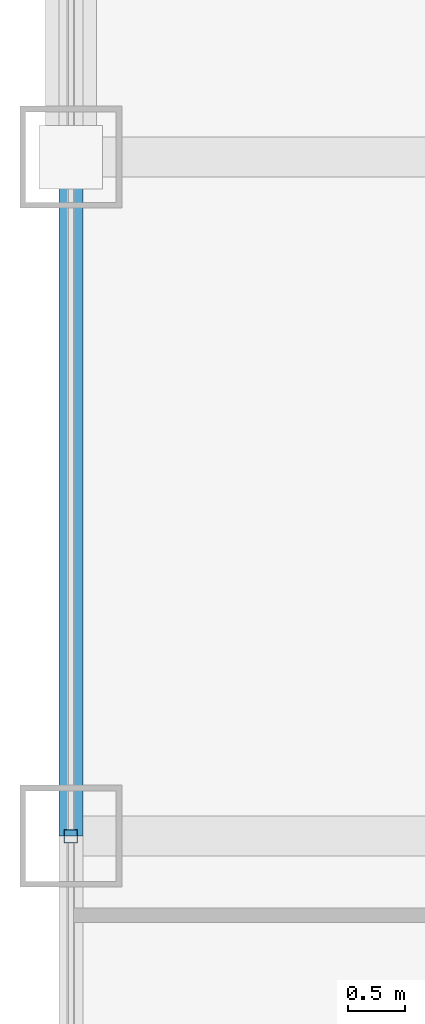
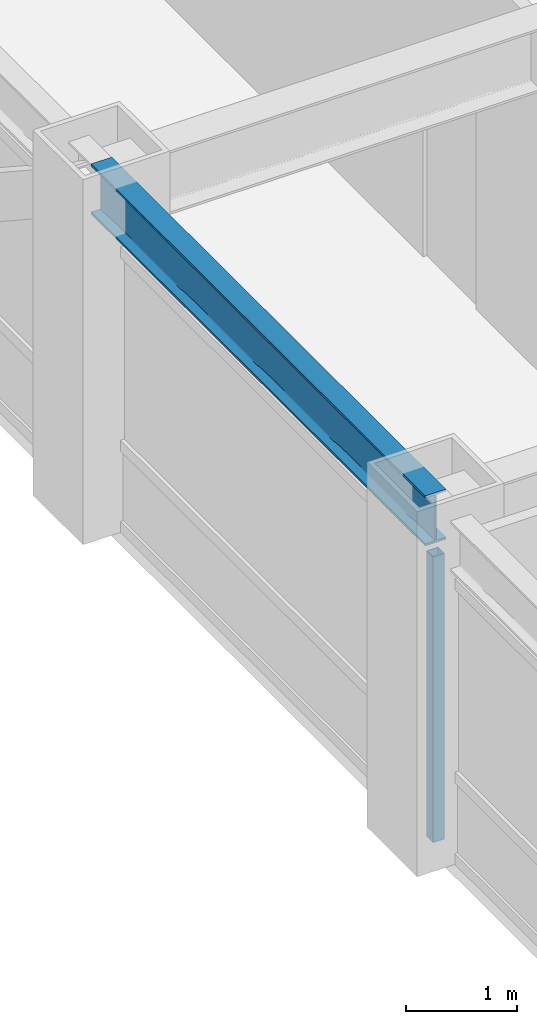
# One storey, part 6 of 27: 1 beam, 1 member, 1 element without a shape of its own.
"""IFC4 building model written with IfcOpenShell, lengths in metres."""

from ifc_helpers import new_model, si_unit, direction, frame, origin, origin_2d, place, context, subcontext, project, spatial, hollow_rectangle, i_section, extrude, source, transform, mapped, material, material_profile, profile_set, type_object, element, aggregate, save


model = new_model("IFC4")

# Units and contexts
model_context = context("Model", 3, precision=1e-05, world=origin(), true_north=direction((0.0, 1.0)))
body_context = subcontext(model_context, "Body", "Model", "MODEL_VIEW")
ifc_project = project(units=[si_unit("LENGTHUNIT", "METRE"), si_unit("AREAUNIT", "SQUARE_METRE"), si_unit("VOLUMEUNIT", "CUBIC_METRE"), si_unit("PLANEANGLEUNIT", "RADIAN"), si_unit("MASSUNIT", "GRAM", prefix="KILO")], contexts=[model_context])

# Site, building, storey
site_placement = place(None, origin())
site = spatial("IfcSite", under=ifc_project, at=site_placement, CompositionType="ELEMENT")
building_placement = place(site_placement, origin())
building = spatial("IfcBuilding", under=site, at=building_placement, Name="Khorayat Bourse Tower", CompositionType="ELEMENT")
storey_placement = place(building_placement, frame((0.0, 0.0, 281.5)))
storey = spatial("IfcBuildingStorey", under=building, at=storey_placement, Name="L66", CompositionType="ELEMENT", Elevation=281.5)

# Beam
ifc_material_1 = material(Name="Steel ASTM A992 Grade 50", Category="steel")
ifc_material_profile_1 = material_profile(ifc_material_1, i_section(OverallWidth=0.214111328125, OverallDepth=0.549072265625, WebThickness=0.0146484375, FlangeThickness=0.023681640625, FilletRadius=0.013916015625, at=origin_2d()), Name="W530X138")
ifc_profile_set_1 = profile_set([ifc_material_profile_1], Name="Steel ASTM A992 Grade 50")
beam_type = type_object("IfcBeamType", Name="BM-SPAN-530", PredefinedType="SPANDREL", material=ifc_profile_set_1)
shared_shape_1 = source(origin(), body_context, "Body", "SweptSolid", [
    extrude(i_section(OverallWidth=0.214111328125, OverallDepth=0.549072265625, WebThickness=0.0146484375, FlangeThickness=0.023681640625, FilletRadius=0.013916015625, at=origin_2d()), origin(), (0.0, 0.0, 1.0), 6.0),
])
beam_placement = place(storey_placement, frame((-28.0, 0.0, 3.505615234375), z_axis=(0.0, 1.0, 0.0), x_axis=(-1.0, 0.0, 0.0)))
element("IfcBeam", 1, at=beam_placement, inside=storey, type_object=beam_type, Name="L66 BM-SPAN-530 BM-L66-SPN-057", PredefinedType="SPANDREL", context=body_context, shape_type="MappedRepresentation", body=[
    mapped(shared_shape_1, transform((0.0, 0.0, 0.0), scale=1.0)),
])

# Curtain wall, member
ifc_material_2 = material(Name="Aluminium EN AW-6063 T6", Category="aluminium")
curtain_wall_type = type_object("IfcCurtainWallType", Name="CW-SYS-04", PredefinedType="NOTDEFINED", material=ifc_material_2)
curtain_wall_placement = place(storey_placement, origin())
curtain_wall = element("IfcCurtainWall", 2, at=curtain_wall_placement, inside=storey, type_object=curtain_wall_type, Name="L66 Curtain Wall CW-L66-W1", PredefinedType="NOTDEFINED")
ifc_material_profile_2 = material_profile(ifc_material_2, hollow_rectangle(XDim=0.1201171875, YDim=0.1201171875, WallThickness=0.0048828125, at=origin_2d()), Name="ALU 120x120x5")
ifc_profile_set_2 = profile_set([ifc_material_profile_2], Name="Aluminium EN AW-6063 T6")
member_type = type_object("IfcMemberType", Name="CWM-VERT-120", PredefinedType="MULLION", material=ifc_profile_set_2)
shared_shape_2 = source(origin(), body_context, "Body", "SweptSolid", [
    extrude(hollow_rectangle(XDim=0.1201171875, YDim=0.1201171875, WallThickness=0.0048828125, at=origin_2d()), origin(), (0.0, 0.0, 1.0), 3.1298828125),
])
member_placement = place(storey_placement, frame((-28.0, 0.0, 0.0), z_axis=(0.0, 0.0, 1.0), x_axis=(-1.0, 0.0, 0.0)))
member = element("IfcMember", 3, at=member_placement, type_object=member_type, Name="CW-L66-W1 Vertical Mullion 2", PredefinedType="MULLION", context=body_context, shape_type="MappedRepresentation", body=[
    mapped(shared_shape_2, transform((0.0, 0.0, 0.0), scale=1.0)),
])
aggregate(curtain_wall, [member])

save(model, "model.ifc")
